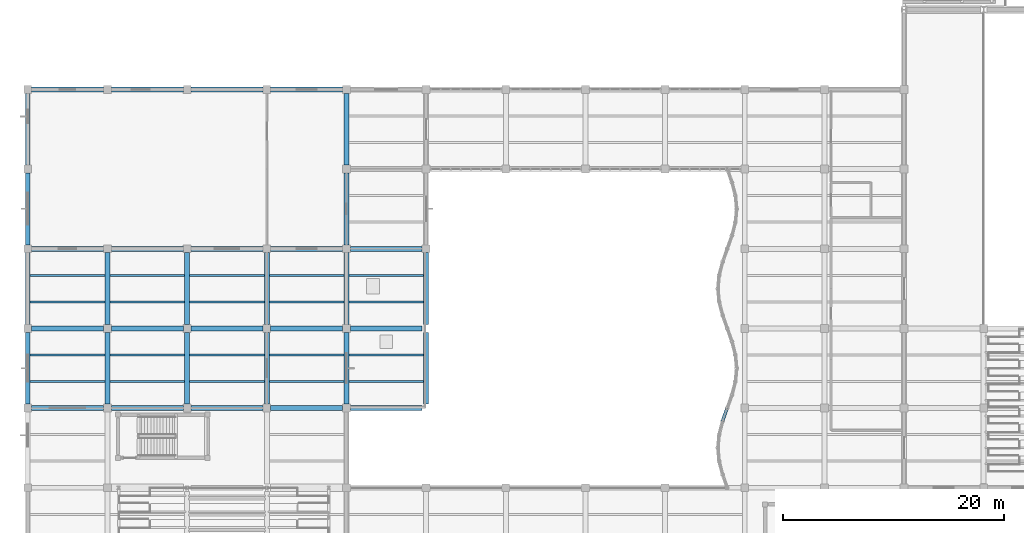
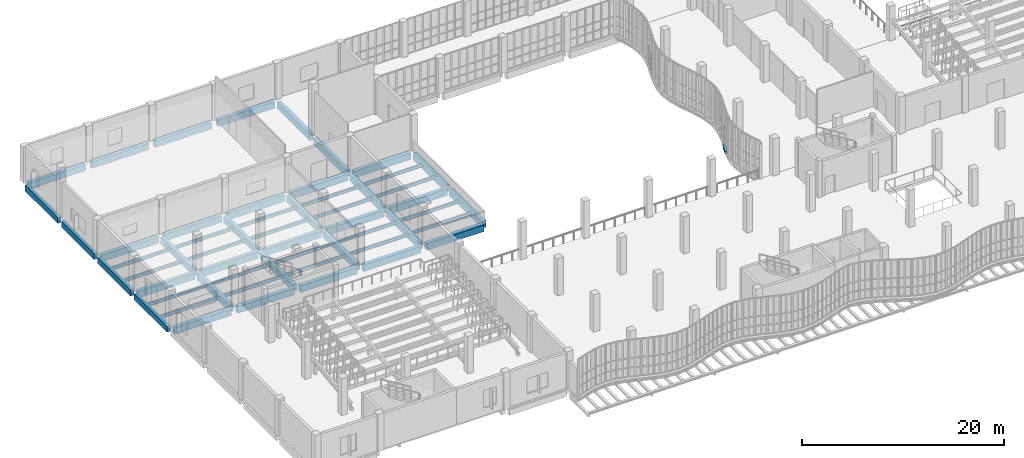
# One storey, part 20 of 108: 56 beams.
"""IFC4 building model written with IfcOpenShell, lengths in metres."""

import ifcopenshell
import ifcopenshell.guid

model = None  # the IFC model being written
_history = None  # IfcOwnerHistory: only IFC2X3 demands one
_inside = {}  # id of a spatial element -> (the spatial element, [elements in it])
_under = {}  # id of a project, library or spatial element -> (it, [spatial elements below it])
_declared = {}  # id of a project -> (the project, [libraries it declares])
_typed = {}  # id of a type object -> (the type object, [elements of that type])
_made_of = {}  # id of a material, layer set ... -> (it, [elements and type objects made of it])


def new_model(schema):
    """Start an empty IFC model of exactly this schema.

    Asked for "IFC4X3", IfcOpenShell would pick the latest addendum, in which some entities
    have other attributes; the version numbers below select the first issue.
    IFC2X3 requires an IfcOwnerHistory on every rooted entity: one is made here for all.
    """
    global model, _history
    if schema == "IFC4X3":
        model = ifcopenshell.file(schema_version=(4, 3, 0, 0))
    else:
        model = ifcopenshell.file(schema=schema)
    _inside.clear()
    _under.clear()
    _declared.clear()
    _typed.clear()
    _made_of.clear()
    _history = None
    if model.schema == "IFC2X3":
        org = make("IfcOrganization", Name="unknown")
        user = make(
            "IfcPersonAndOrganization",
            ThePerson=make("IfcPerson", FamilyName="unknown"),
            TheOrganization=org,
        )
        app = make(
            "IfcApplication",
            ApplicationDeveloper=org,
            Version="unknown",
            ApplicationFullName="unknown",
            ApplicationIdentifier="unknown",
        )
        _history = make(
            "IfcOwnerHistory",
            OwningUser=user,
            OwningApplication=app,
            ChangeAction="ADDED",
            CreationDate=0,
        )
    return model


def make(cls, **values):
    """One entity of the class cls with the attributes given. An attribute that is None is left unset."""
    return model.create_entity(
        cls, **{name: value for name, value in values.items() if value is not None}
    )


def rooted(cls, **values):
    """An entity with a GlobalId (a new one), such as an element, a storey or a relation."""
    return make(cls, GlobalId=ifcopenshell.guid.new(), OwnerHistory=_history, **values)


def si_unit(unit_type, name, prefix=None):
    """IfcSIUnit, for example si_unit("LENGTHUNIT", "METRE", prefix="MILLI")."""
    return make("IfcSIUnit", UnitType=unit_type, Prefix=prefix, Name=name)


def assignment(units):
    """IfcUnitAssignment: the units of a project."""
    return None if units is None else make("IfcUnitAssignment", Units=units)


def point(xyz):
    """IfcCartesianPoint."""
    return None if xyz is None else make("IfcCartesianPoint", Coordinates=xyz)


def direction(xyz):
    """IfcDirection."""
    return None if xyz is None else make("IfcDirection", DirectionRatios=xyz)


def frame(location, z_axis=None, x_axis=None):
    """IfcAxis2Placement3D, a coordinate frame: its origin and axes. An axis left out is left unset."""
    return make(
        "IfcAxis2Placement3D",
        Location=point(location),
        Axis=direction(z_axis),
        RefDirection=direction(x_axis),
    )


def frame_2d(location, x_axis=None):
    """IfcAxis2Placement2D, a coordinate frame in the plane: its origin and x axis."""
    return make(
        "IfcAxis2Placement2D", Location=point(location), RefDirection=direction(x_axis)
    )


def origin():
    """The frame at (0, 0, 0) with its axes left unset."""
    return frame((0.0, 0.0, 0.0))


def origin_2d():
    """The frame at (0, 0) in the plane with its x axis left unset."""
    return frame_2d((0.0, 0.0))


def place(relative_to, where):
    """IfcLocalPlacement: puts the frame where relative to a parent placement (None: the world)."""
    return make(
        "IfcLocalPlacement", PlacementRelTo=relative_to, RelativePlacement=where
    )


def context(
    kind, dimensions, precision=None, world=None, true_north=None, identifier=None
):
    """IfcGeometricRepresentationContext, for example the 3D "Model" context."""
    return make(
        "IfcGeometricRepresentationContext",
        ContextIdentifier=identifier,
        ContextType=kind,
        CoordinateSpaceDimension=dimensions,
        Precision=precision,
        WorldCoordinateSystem=world,
        TrueNorth=true_north,
    )


def subcontext(parent, identifier, kind, view, scale=None):
    """IfcGeometricRepresentationSubContext, for example "Body" below "Model"."""
    return make(
        "IfcGeometricRepresentationSubContext",
        ContextIdentifier=identifier,
        ContextType=kind,
        ParentContext=parent,
        TargetScale=scale,
        TargetView=view,
    )


def project(units=None, contexts=None):
    """IfcProject with its units and contexts."""
    return rooted(
        "IfcProject",
        Name="project",
        RepresentationContexts=contexts,
        UnitsInContext=assignment(units),
    )


def spatial(cls, under=None, at=None, **own):
    """A site, building, storey or space (cls), placed at a placement, below another one or the project."""
    s = rooted(cls, ObjectPlacement=at, **own)
    if under is not None:
        _under.setdefault(under.id(), (under, []))[1].append(s)
    return s


def profile(cls, at=None, kind="AREA", **sizes):
    """A parametric profile (cls). Its sizes go by their IFC names, for example OverallWidth=200.0."""
    return make(cls, ProfileType=kind, Position=at, **sizes)


def rectangle(**sizes):
    """IfcRectangleProfileDef."""
    return profile("IfcRectangleProfileDef", **sizes)


def i_section(**sizes):
    """IfcIShapeProfileDef."""
    return profile("IfcIShapeProfileDef", **sizes)


def extrude(swept, where, along, depth):
    """IfcExtrudedAreaSolid: the profile swept, set in the frame where, extruded along a direction by depth."""
    return make(
        "IfcExtrudedAreaSolid",
        SweptArea=swept,
        Position=where,
        ExtrudedDirection=direction(along),
        Depth=depth,
    )


def shape(context_of_items, identifier, shape_type, items):
    """IfcShapeRepresentation: the items that make up one representation, for example the "Body"."""
    return make(
        "IfcShapeRepresentation",
        ContextOfItems=context_of_items,
        RepresentationIdentifier=identifier,
        RepresentationType=shape_type,
        Items=items,
    )


def material(Name=None, Category=None):
    """IfcMaterial."""
    return make("IfcMaterial", Name=Name, Category=Category)


def material_profile(
    of_material, cross_section, Name=None, Category=None, Priority=None
):
    """IfcMaterialProfile: a cross section and its material."""
    return make(
        "IfcMaterialProfile",
        Name=Name,
        Material=of_material,
        Profile=cross_section,
        Priority=Priority,
        Category=Category,
    )


def profile_set(profiles, Name=None, composite=None):
    """IfcMaterialProfileSet."""
    return make(
        "IfcMaterialProfileSet",
        Name=Name,
        MaterialProfiles=profiles,
        CompositeProfile=composite,
    )


def made_of(thing, what):
    """Note that an element or type object is made of a material, layer set ...; save() writes the relation."""
    if what is not None:
        _made_of.setdefault(what.id(), (what, []))[1].append(thing)
    return thing


def type_object(cls, material=None, **own):
    """A type object (cls), such as IfcWallType, which elements share."""
    return made_of(rooted(cls, **own), material)


def element(
    cls,
    number,
    at=None,
    inside=None,
    cuts=None,
    type_object=None,
    material=None,
    context=None,
    identifier="Body",
    shape_type=None,
    held_by="IfcProductDefinitionShape",
    body=None,
    shapes=None,
    **own,
):
    """One element of the class cls, such as IfcWall. Its Tag is "e" and its number.

    at: its placement. inside: the storey or other place that contains it. cuts: it is an
    opening in that element (IfcRelVoidsElement). A single representation is given by context,
    identifier, shape_type and body (its items); several are given by shapes. held_by: the class
    of the entity that holds the representations. save() writes the other relations.
    """
    e = rooted(cls, Tag="e%d" % number, ObjectPlacement=at, **own)
    if body is not None:
        shapes = [shape(context, identifier, shape_type, body)]
    if shapes is not None:
        e.Representation = make(held_by, Representations=shapes)
    if inside is not None:
        _inside.setdefault(inside.id(), (inside, []))[1].append(e)
    if cuts is not None:
        rooted(
            "IfcRelVoidsElement", RelatingBuildingElement=cuts, RelatedOpeningElement=e
        )
    if type_object is not None:
        _typed.setdefault(type_object.id(), (type_object, []))[1].append(e)
    return made_of(e, material)


def aggregate(whole, parts):
    """IfcRelAggregates: a whole, such as a stair, and the parts it consists of."""
    return rooted("IfcRelAggregates", RelatingObject=whole, RelatedObjects=parts)


def save(model, path):
    """Write the relations noted so far, then the file.

    IfcRelAggregates (storeys below a building ...), IfcRelContainedInSpatialStructure (elements
    in a storey), IfcRelDefinesByType, IfcRelAssociatesMaterial and IfcRelDeclares: one each for
    every whole, place, type object, material and project.
    """
    for whole, parts in _under.values():
        aggregate(whole, parts)
    for where, things in _inside.values():
        rooted(
            "IfcRelContainedInSpatialStructure",
            RelatedElements=things,
            RelatingStructure=where,
        )
    for kind, things in _typed.values():
        rooted("IfcRelDefinesByType", RelatedObjects=things, RelatingType=kind)
    for what, things in _made_of.values():
        rooted("IfcRelAssociatesMaterial", RelatedObjects=things, RelatingMaterial=what)
    for by, libraries in _declared.values():
        rooted("IfcRelDeclares", RelatingContext=by, RelatedDefinitions=libraries)
    model.write(path)


model = new_model("IFC4")

# Units and contexts
model_context = context("Model", 3, precision=1e-05, world=origin(), true_north=direction((0.0, 1.0)))
body_context = subcontext(model_context, "Body", "Model", "MODEL_VIEW")
ifc_project = project(units=[si_unit("LENGTHUNIT", "METRE"), si_unit("AREAUNIT", "SQUARE_METRE"), si_unit("VOLUMEUNIT", "CUBIC_METRE"), si_unit("PLANEANGLEUNIT", "RADIAN"), si_unit("MASSUNIT", "GRAM", prefix="KILO"), si_unit("THERMODYNAMICTEMPERATUREUNIT", "KELVIN"), si_unit("POWERUNIT", "WATT")], contexts=[model_context])

# Site, building, storey
site_placement = place(None, origin())
site = spatial("IfcSite", under=ifc_project, at=site_placement, CompositionType="ELEMENT")
building_placement = place(site_placement, origin())
building = spatial("IfcBuilding", under=site, at=building_placement, Name="Kaldorven Railside Theatre", CompositionType="ELEMENT")
storey_placement = place(building_placement, frame((0.0, 0.0, 5.39990234375)))
storey = spatial("IfcBuildingStorey", under=building, at=storey_placement, Name="L01", CompositionType="ELEMENT", Elevation=5.39990234375)

# Beams
ifc_material_1 = material(Name="Steel S355", Category="steel")
ifc_material_profile_1 = material_profile(ifc_material_1, i_section(OverallWidth=0.280029296875, OverallDepth=0.280029296875, WebThickness=0.010498046875, FlangeThickness=0.01806640625, at=origin_2d()), Name="HEB 280")
ifc_profile_set_1 = profile_set([ifc_material_profile_1], Name="Steel S355")
beam_type_1 = type_object("IfcBeamType", Name="BM-HEB280", PredefinedType="SPANDREL", material=ifc_profile_set_1)
beam_placement = place(storey_placement, frame((70.780029296875, 46.814208984375, -0.419921875), z_axis=(0.333908952671, 0.942605331688, 0.0), x_axis=(-0.942605331688, 0.333908952671, 0.0)))
element("IfcBeam", 1, at=beam_placement, inside=storey, type_object=beam_type_1, Name="L01 Sinusoidal Flute Edge Spandrel FSB-222", PredefinedType="SPANDREL", context=body_context, shape_type="SweptSolid", body=[
    extrude(i_section(OverallWidth=0.280029296875, OverallDepth=0.280029296875, WebThickness=0.010498046875, FlangeThickness=0.01806640625, at=origin_2d()), origin(), (0.0, 0.0, 1.0), 1.242919921875),
])
ifc_material_profile_2 = material_profile(ifc_material_1, i_section(OverallWidth=0.179931640625, OverallDepth=0.39990234375, WebThickness=0.008544921875, FlangeThickness=0.013427734375, at=origin_2d()), Name="IPE 400")
ifc_profile_set_2 = profile_set([ifc_material_profile_2], Name="Steel S355")
beam_type_2 = type_object("IfcBeamType", Name="BM-IPE400", PredefinedType="JOIST", material=ifc_profile_set_2)
for number, where, z_axis, x_axis, name in (
    (2, (8.199951171875, 50.39990234375, -0.47998046875), (1.0, 0.0, 0.0), (0.0, 1.0, 0.0), "L01 Secondary Floor Joist JG-L01-008-0504"),
    (3, (8.199951171875, 52.800048828125, -0.47998046875), (1.0, 0.0, 0.0), (0.0, 1.0, 0.0), "L01 Secondary Floor Joist JG-L01-008-0528"),
):
    element("IfcBeam", number, at=place(storey_placement, frame(where, z_axis=z_axis, x_axis=x_axis)), inside=storey, type_object=beam_type_2, Name=name, PredefinedType="JOIST", context=body_context, shape_type="SweptSolid", body=[
        extrude(i_section(OverallWidth=0.179931640625, OverallDepth=0.39990234375, WebThickness=0.008544921875, FlangeThickness=0.013427734375, at=origin_2d()), origin(), (0.0, 0.0, 1.0), 6.775146484375),
    ])
for number, where, z_axis, x_axis, name in (
    (4, (15.425048828125, 50.39990234375, -0.47998046875), (1.0, 0.0, 0.0), (0.0, 1.0, 0.0), "L01 Secondary Floor Joist JG-L01-015-0504"),
    (5, (15.425048828125, 52.800048828125, -0.47998046875), (1.0, 0.0, 0.0), (0.0, 1.0, 0.0), "L01 Secondary Floor Joist JG-L01-015-0528"),
    (6, (22.625, 50.39990234375, -0.47998046875), (1.0, 0.0, 0.0), (0.0, 1.0, 0.0), "L01 Secondary Floor Joist JG-L01-022-0504"),
    (7, (22.625, 52.800048828125, -0.47998046875), (1.0, 0.0, 0.0), (0.0, 1.0, 0.0), "L01 Secondary Floor Joist JG-L01-022-0528"),
    (8, (29.824951171875, 50.39990234375, -0.47998046875), (1.0, 0.0, 0.0), (0.0, 1.0, 0.0), "L01 Secondary Floor Joist JG-L01-029-0504"),
    (9, (29.824951171875, 52.800048828125, -0.47998046875), (1.0, 0.0, 0.0), (0.0, 1.0, 0.0), "L01 Secondary Floor Joist JG-L01-029-0528"),
    (10, (37.02490234375, 50.39990234375, -0.419921875), (1.0, 0.0, 0.0), (0.0, 1.0, 0.0), "L01 Secondary Floor Joist JG-L01-036-0504"),
    (11, (37.02490234375, 52.800048828125, -0.419921875), (1.0, 0.0, 0.0), (0.0, 1.0, 0.0), "L01 Secondary Floor Joist JG-L01-036-0528"),
):
    element("IfcBeam", number, at=place(storey_placement, frame(where, z_axis=z_axis, x_axis=x_axis)), inside=storey, type_object=beam_type_2, Name=name, PredefinedType="JOIST", context=body_context, shape_type="SweptSolid", body=[
        extrude(i_section(OverallWidth=0.179931640625, OverallDepth=0.39990234375, WebThickness=0.008544921875, FlangeThickness=0.013427734375, at=origin_2d()), origin(), (0.0, 0.0, 1.0), 6.75),
    ])
for number, where, z_axis, x_axis, name in (
    (12, (8.199951171875, 57.60009765625, -0.47998046875), (1.0, 0.0, 0.0), (0.0, 1.0, 0.0), "L01 Secondary Floor Joist JG-L01-008-0576"),
    (13, (8.199951171875, 60.0, -0.47998046875), (1.0, 0.0, 0.0), (0.0, 1.0, 0.0), "L01 Secondary Floor Joist JG-L01-008-0600"),
):
    element("IfcBeam", number, at=place(storey_placement, frame(where, z_axis=z_axis, x_axis=x_axis)), inside=storey, type_object=beam_type_2, Name=name, PredefinedType="JOIST", context=body_context, shape_type="SweptSolid", body=[
        extrude(i_section(OverallWidth=0.179931640625, OverallDepth=0.39990234375, WebThickness=0.008544921875, FlangeThickness=0.013427734375, at=origin_2d()), origin(), (0.0, 0.0, 1.0), 6.775146484375),
    ])
for number, where, z_axis, x_axis, name in (
    (14, (15.425048828125, 57.60009765625, -0.47998046875), (1.0, 0.0, 0.0), (0.0, 1.0, 0.0), "L01 Secondary Floor Joist JG-L01-015-0576"),
    (15, (15.425048828125, 60.0, -0.47998046875), (1.0, 0.0, 0.0), (0.0, 1.0, 0.0), "L01 Secondary Floor Joist JG-L01-015-0600"),
    (16, (22.625, 57.60009765625, -0.47998046875), (1.0, 0.0, 0.0), (0.0, 1.0, 0.0), "L01 Secondary Floor Joist JG-L01-022-0576"),
    (17, (22.625, 60.0, -0.47998046875), (1.0, 0.0, 0.0), (0.0, 1.0, 0.0), "L01 Secondary Floor Joist JG-L01-022-0600"),
    (18, (29.824951171875, 57.60009765625, -0.47998046875), (1.0, 0.0, 0.0), (0.0, 1.0, 0.0), "L01 Secondary Floor Joist JG-L01-029-0576"),
    (19, (29.824951171875, 60.0, -0.47998046875), (1.0, 0.0, 0.0), (0.0, 1.0, 0.0), "L01 Secondary Floor Joist JG-L01-029-0600"),
    (20, (37.02490234375, 57.60009765625, -0.419921875), (1.0, 0.0, 0.0), (0.0, 1.0, 0.0), "L01 Secondary Floor Joist JG-L01-036-0576"),
    (21, (37.02490234375, 60.0, -0.419921875), (1.0, 0.0, 0.0), (0.0, 1.0, 0.0), "L01 Secondary Floor Joist JG-L01-036-0600"),
):
    element("IfcBeam", number, at=place(storey_placement, frame(where, z_axis=z_axis, x_axis=x_axis)), inside=storey, type_object=beam_type_2, Name=name, PredefinedType="JOIST", context=body_context, shape_type="SweptSolid", body=[
        extrude(i_section(OverallWidth=0.179931640625, OverallDepth=0.39990234375, WebThickness=0.008544921875, FlangeThickness=0.013427734375, at=origin_2d()), origin(), (0.0, 0.0, 1.0), 6.75),
    ])
ifc_material_2 = material(Name="Concrete C40/50", Category="concrete")
ifc_material_profile_3 = material_profile(ifc_material_2, rectangle(XDim=0.39990234375, YDim=0.699951171875, at=origin_2d()), Name="RC 400x700")
ifc_profile_set_3 = profile_set([ifc_material_profile_3], Name="Concrete C40/50")
beam_type_3 = type_object("IfcBeamType", Name="BM-RC400x700", PredefinedType="BEAM", material=ifc_profile_set_3)
for number, where, z_axis, x_axis, name in (
    (22, (8.0, 48.35009765625, -0.6298828125), (0.0, 1.0, 0.0), (-1.0, 0.0, 0.0), "L01 Girder BGY-L01-008-048-72"),
    (23, (8.0, 55.550048828125, -0.6298828125), (0.0, 1.0, 0.0), (-1.0, 0.0, 0.0), "L01 Girder BGY-L01-008-055-72"),
    (24, (8.0, 62.75, -0.599853515625), (0.0, 1.0, 0.0), (-1.0, 0.0, 0.0), "L01 Girder BGY-L01-008-062-72"),
    (25, (8.0, 69.949951171875, -0.599853515625), (0.0, 1.0, 0.0), (-1.0, 0.0, 0.0), "L01 Girder BGY-L01-008-069-72"),
):
    element("IfcBeam", number, at=place(storey_placement, frame(where, z_axis=z_axis, x_axis=x_axis)), inside=storey, type_object=beam_type_3, Name=name, PredefinedType="BEAM", context=body_context, shape_type="SweptSolid", body=[
        extrude(rectangle(XDim=0.39990234375, YDim=0.699951171875, at=origin_2d()), origin(), (0.0, 0.0, 1.0), 6.5),
    ])
ifc_material_profile_4 = material_profile(ifc_material_2, rectangle(XDim=0.449951171875, YDim=0.800048828125, at=origin_2d()), Name="RC 450x800")
ifc_profile_set_4 = profile_set([ifc_material_profile_4], Name="Concrete C40/50")
beam_type_4 = type_object("IfcBeamType", Name="BM-RC450x800", PredefinedType="BEAM", material=ifc_profile_set_4)
for number, where, z_axis, x_axis, name in (
    (26, (8.35009765625, 48.0, -0.679931640625), (1.0, 0.0, 0.0), (0.0, 1.0, 0.0), "L01 Girder BGX-L01-008-048"),
    (27, (15.550048828125, 48.0, -0.679931640625), (1.0, 0.0, 0.0), (0.0, 1.0, 0.0), "L01 Girder BGX-L01-015-048"),
    (28, (15.199951171875, 48.35009765625, -0.679931640625), (0.0, 1.0, 0.0), (-1.0, 0.0, 0.0), "L01 Girder BGY-L01-015-048-72"),
    (29, (22.75, 48.0, -0.679931640625), (1.0, 0.0, 0.0), (0.0, 1.0, 0.0), "L01 Girder BGX-L01-022-048"),
    (30, (22.39990234375, 48.35009765625, -0.679931640625), (0.0, 1.0, 0.0), (-1.0, 0.0, 0.0), "L01 Girder BGY-L01-022-048-72"),
    (31, (29.949951171875, 48.0, -0.679931640625), (1.0, 0.0, 0.0), (0.0, 1.0, 0.0), "L01 Girder BGX-L01-029-048"),
    (32, (29.60009765625, 48.35009765625, -0.679931640625), (0.0, 1.0, 0.0), (-1.0, 0.0, 0.0), "L01 Girder BGY-L01-029-048-72"),
    (33, (37.14990234375, 48.0, -0.619873046875), (1.0, 0.0, 0.0), (0.0, 1.0, 0.0), "L01 Girder BGX-L01-036-048"),
    (34, (36.800048828125, 48.35009765625, -0.679931640625), (0.0, 1.0, 0.0), (-1.0, 0.0, 0.0), "L01 Girder BGY-L01-036-048-72"),
    (35, (44.0, 48.35009765625, -0.619873046875), (0.0, 1.0, 0.0), (-1.0, 0.0, 0.0), "L01 Girder BGY-L01-044-048-72"),
    (36, (8.35009765625, 55.199951171875, -0.679931640625), (1.0, 0.0, 0.0), (0.0, 1.0, 0.0), "L01 Girder BGX-L01-008-055"),
    (37, (15.550048828125, 55.199951171875, -0.679931640625), (1.0, 0.0, 0.0), (0.0, 1.0, 0.0), "L01 Girder BGX-L01-015-055"),
    (38, (15.199951171875, 55.550048828125, -0.679931640625), (0.0, 1.0, 0.0), (-1.0, 0.0, 0.0), "L01 Girder BGY-L01-015-055-72"),
    (39, (22.75, 55.199951171875, -0.679931640625), (1.0, 0.0, 0.0), (0.0, 1.0, 0.0), "L01 Girder BGX-L01-022-055"),
    (40, (22.39990234375, 55.550048828125, -0.679931640625), (0.0, 1.0, 0.0), (-1.0, 0.0, 0.0), "L01 Girder BGY-L01-022-055-72"),
    (41, (29.949951171875, 55.199951171875, -0.679931640625), (1.0, 0.0, 0.0), (0.0, 1.0, 0.0), "L01 Girder BGX-L01-029-055"),
    (42, (29.60009765625, 55.550048828125, -0.679931640625), (0.0, 1.0, 0.0), (-1.0, 0.0, 0.0), "L01 Girder BGY-L01-029-055-72"),
    (43, (37.14990234375, 55.199951171875, -0.619873046875), (1.0, 0.0, 0.0), (0.0, 1.0, 0.0), "L01 Girder BGX-L01-036-055"),
    (44, (36.800048828125, 55.550048828125, -0.679931640625), (0.0, 1.0, 0.0), (-1.0, 0.0, 0.0), "L01 Girder BGY-L01-036-055-72"),
    (45, (44.0, 55.550048828125, -0.619873046875), (0.0, 1.0, 0.0), (-1.0, 0.0, 0.0), "L01 Girder BGY-L01-044-055-72"),
    (46, (8.35009765625, 62.39990234375, -0.679931640625), (1.0, 0.0, 0.0), (0.0, 1.0, 0.0), "L01 Girder BGX-L01-008-062"),
    (47, (15.550048828125, 62.39990234375, -0.679931640625), (1.0, 0.0, 0.0), (0.0, 1.0, 0.0), "L01 Girder BGX-L01-015-062"),
    (48, (22.75, 62.39990234375, -0.679931640625), (1.0, 0.0, 0.0), (0.0, 1.0, 0.0), "L01 Girder BGX-L01-022-062"),
    (49, (29.949951171875, 62.39990234375, -0.679931640625), (1.0, 0.0, 0.0), (0.0, 1.0, 0.0), "L01 Girder BGX-L01-029-062"),
    (50, (37.14990234375, 62.39990234375, -0.64990234375), (1.0, 0.0, 0.0), (0.0, 1.0, 0.0), "L01 Girder BGX-L01-036-062"),
    (51, (36.800048828125, 62.75, -0.64990234375), (0.0, 1.0, 0.0), (-1.0, 0.0, 0.0), "L01 Girder BGY-L01-036-062-72"),
    (52, (36.800048828125, 69.949951171875, -0.64990234375), (0.0, 1.0, 0.0), (-1.0, 0.0, 0.0), "L01 Girder BGY-L01-036-069-72"),
    (53, (8.35009765625, 76.800048828125, -0.64990234375), (1.0, 0.0, 0.0), (0.0, 1.0, 0.0), "L01 Girder BGX-L01-008-076"),
    (54, (15.550048828125, 76.800048828125, -0.64990234375), (1.0, 0.0, 0.0), (0.0, 1.0, 0.0), "L01 Girder BGX-L01-015-076"),
    (55, (22.75, 76.800048828125, -0.64990234375), (1.0, 0.0, 0.0), (0.0, 1.0, 0.0), "L01 Girder BGX-L01-022-076"),
    (56, (29.949951171875, 76.800048828125, -0.64990234375), (1.0, 0.0, 0.0), (0.0, 1.0, 0.0), "L01 Girder BGX-L01-029-076"),
):
    element("IfcBeam", number, at=place(storey_placement, frame(where, z_axis=z_axis, x_axis=x_axis)), inside=storey, type_object=beam_type_4, Name=name, PredefinedType="BEAM", context=body_context, shape_type="SweptSolid", body=[
        extrude(rectangle(XDim=0.449951171875, YDim=0.800048828125, at=origin_2d()), origin(), (0.0, 0.0, 1.0), 6.5),
    ])

save(model, "model.ifc")
